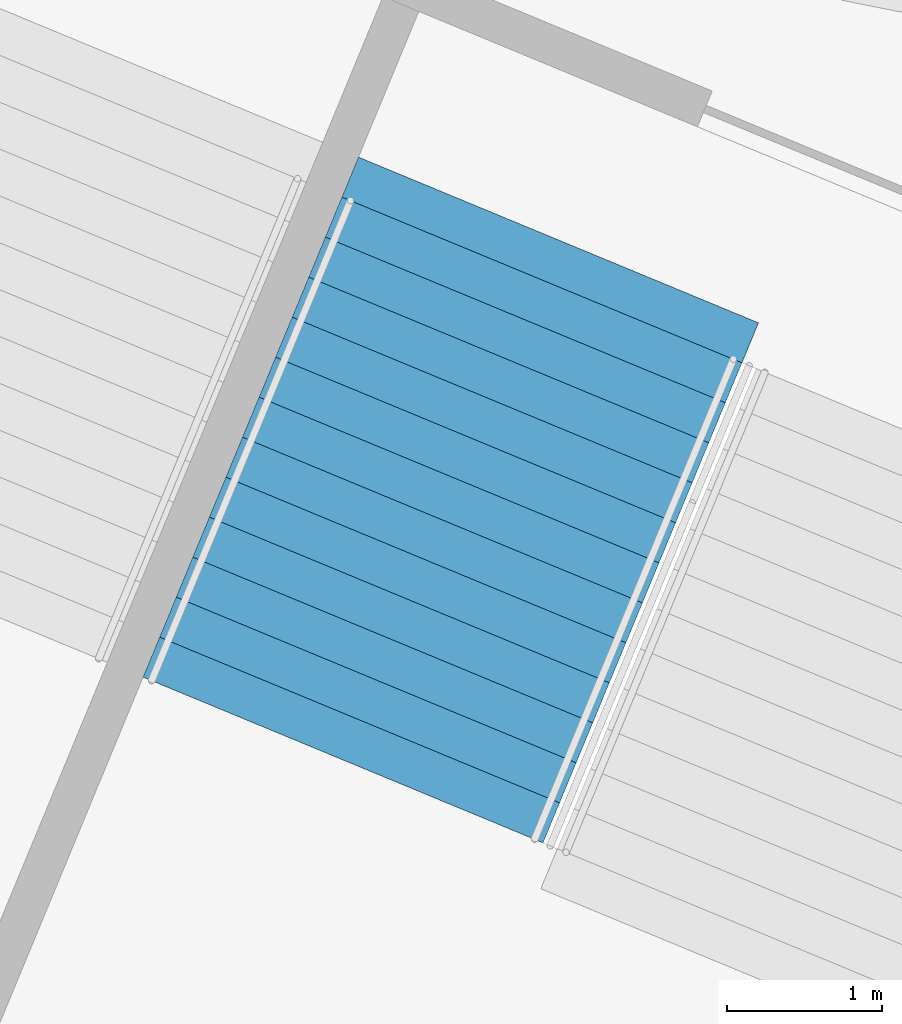
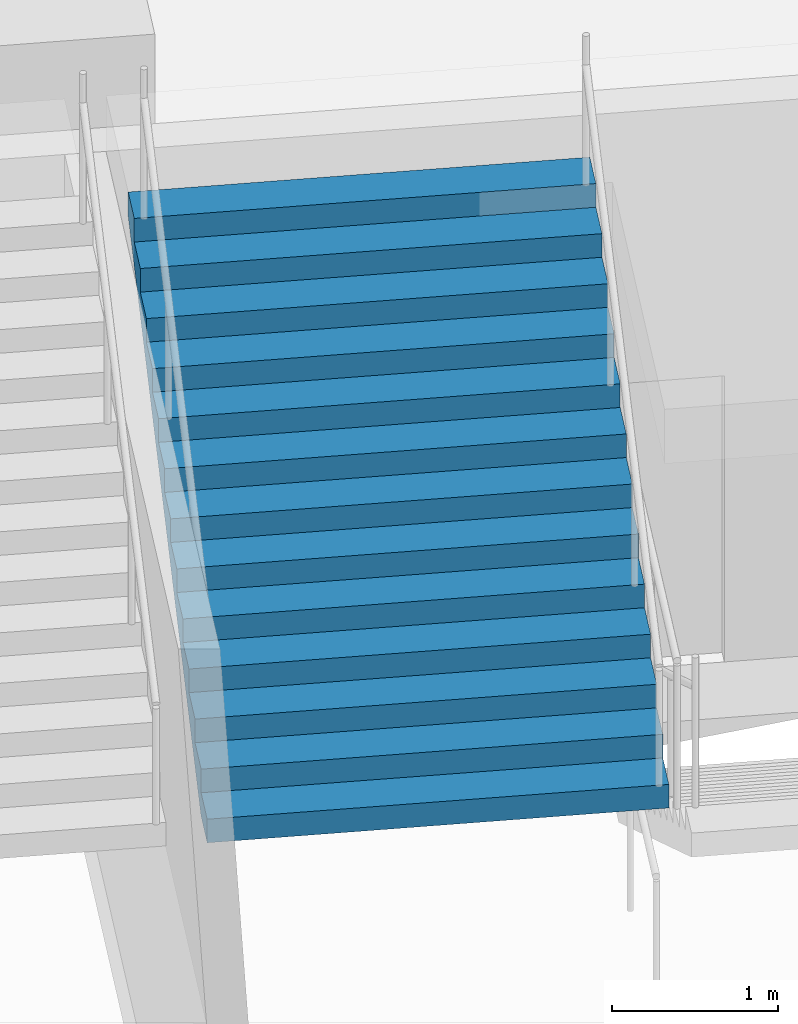
# One storey, part 106 of 199: 1 stair flight, 1 element without a shape of its own.
"""IFC4 building model written with IfcOpenShell, lengths in metres."""

from ifc_helpers import new_model, si_unit, direction, frame, origin, place, context, subcontext, project, spatial, faceted_brep, material, type_object, element, aggregate, save


model = new_model("IFC4")

# Units and contexts
model_context = context("Model", 3, precision=1e-05, world=origin(), true_north=direction((0.0, 1.0)))
body_context = subcontext(model_context, "Body", "Model", "MODEL_VIEW")
ifc_project = project(units=[si_unit("LENGTHUNIT", "METRE"), si_unit("AREAUNIT", "SQUARE_METRE"), si_unit("VOLUMEUNIT", "CUBIC_METRE"), si_unit("PLANEANGLEUNIT", "RADIAN"), si_unit("MASSUNIT", "GRAM", prefix="KILO")], contexts=[model_context])

# Site, building, storey
site_placement = place(None, origin())
site = spatial("IfcSite", under=ifc_project, at=site_placement, CompositionType="ELEMENT")
building_placement = place(site_placement, origin())
building = spatial("IfcBuilding", under=site, at=building_placement, Name="Ogive Plaza Stadium", CompositionType="ELEMENT")
storey_placement = place(building_placement, frame((0.0, 0.0, 9.0)))
storey = spatial("IfcBuildingStorey", under=building, at=storey_placement, Name="L02", CompositionType="ELEMENT", Elevation=9.0)

# Stair, stair flight
ifc_material_1 = material(Name="Concrete C40/50", Category="concrete")
stair_type = type_object("IfcStairType", Name="Exit stair", PredefinedType="STRAIGHT_RUN_STAIR", material=ifc_material_1)
stair_placement = place(storey_placement, origin())
stair = element("IfcStair", 1, at=stair_placement, inside=storey, type_object=stair_type, Name="Exit stair ST18B L02 to L03", PredefinedType="STRAIGHT_RUN_STAIR")
ifc_material_2 = material(Name="Concrete C40/50", Category="concrete")
stair_flight_type = type_object("IfcStairFlightType", Name="Exit stair flight", PredefinedType="STRAIGHT", material=ifc_material_2)
stair_flight_placement = place(storey_placement, frame((-50.08349609375, -95.314208984375, 2.25), z_axis=(0.0, 0.0, 1.0), x_axis=(0.382683432365, 0.923879532511, 0.0)))
stair_flight = element("IfcStairFlight", 2, at=stair_flight_placement, type_object=stair_flight_type, Name="ST18B flight 2", NumberOfRisers=13, NumberOfTreads=12, PredefinedType="STRAIGHT", RiserHeight=0.173076923, TreadLength=0.28, context=body_context, shape_type="Brep", body=[
    faceted_brep([(0.28515625, -1.39990234375, 0.0), (3.639892578125, -1.39990234375, 2.07373046875), (3.639892578125, -1.39990234375, 2.25), (3.360107421875, -1.39990234375, 2.25), (3.360107421875, -1.39990234375, 2.076904296875), (3.080078125, -1.39990234375, 2.076904296875), (3.080078125, -1.39990234375, 1.90380859375), (2.800048828125, -1.39990234375, 1.90380859375), (2.800048828125, -1.39990234375, 1.730712890625), (2.52001953125, -1.39990234375, 1.730712890625), (2.52001953125, -1.39990234375, 1.5576171875), (2.239990234375, -1.39990234375, 1.5576171875), (2.239990234375, -1.39990234375, 1.384521484375), (1.9599609375, -1.39990234375, 1.384521484375), (1.9599609375, -1.39990234375, 1.21142578125), (1.679931640625, -1.39990234375, 1.21142578125), (1.679931640625, -1.39990234375, 1.03857421875), (1.39990234375, -1.39990234375, 1.03857421875), (1.39990234375, -1.39990234375, 0.865478515625), (1.1201171875, -1.39990234375, 0.865478515625), (1.1201171875, -1.39990234375, 0.6923828125), (0.840087890625, -1.39990234375, 0.6923828125), (0.840087890625, -1.39990234375, 0.519287109375), (0.56005859375, -1.39990234375, 0.519287109375), (0.56005859375, -1.39990234375, 0.34619140625), (0.280029296875, -1.39990234375, 0.34619140625), (0.280029296875, -1.39990234375, 0.173095703125), (0.0, -1.39990234375, 0.173095703125), (0.0, -1.39990234375, 0.0), (0.0, 1.39990234375, 0.0), (0.0, 1.39990234375, 0.173095703125), (0.280029296875, 1.39990234375, 0.173095703125), (0.280029296875, 1.39990234375, 0.34619140625), (0.56005859375, 1.39990234375, 0.34619140625), (0.56005859375, 1.39990234375, 0.519287109375), (0.840087890625, 1.39990234375, 0.519287109375), (0.840087890625, 1.39990234375, 0.6923828125), (1.1201171875, 1.39990234375, 0.6923828125), (1.1201171875, 1.39990234375, 0.865478515625), (1.39990234375, 1.39990234375, 0.865478515625), (1.39990234375, 1.39990234375, 1.03857421875), (1.679931640625, 1.39990234375, 1.03857421875), (1.679931640625, 1.39990234375, 1.21142578125), (1.9599609375, 1.39990234375, 1.21142578125), (1.9599609375, 1.39990234375, 1.384521484375), (2.239990234375, 1.39990234375, 1.384521484375), (2.239990234375, 1.39990234375, 1.5576171875), (2.52001953125, 1.39990234375, 1.5576171875), (2.52001953125, 1.39990234375, 1.730712890625), (2.800048828125, 1.39990234375, 1.730712890625), (2.800048828125, 1.39990234375, 1.90380859375), (3.080078125, 1.39990234375, 1.90380859375), (3.080078125, 1.39990234375, 2.076904296875), (3.360107421875, 1.39990234375, 2.076904296875), (3.360107421875, 1.39990234375, 2.25), (3.639892578125, 1.39990234375, 2.25), (3.639892578125, 1.39990234375, 2.07373046875), (0.28515625, 1.39990234375, 0.0), (0.28515625, -1.0888671875, 0.0), (3.639892578125, -1.0888671875, 2.07373046875), (0.28515625, -0.77783203125, 0.0), (3.639892578125, -0.77783203125, 2.07373046875), (0.28515625, -0.466796875, 0.0), (3.639892578125, -0.466796875, 2.07373046875), (0.28515625, -0.155517578125, 0.0), (3.639892578125, -0.155517578125, 2.07373046875), (0.28515625, 0.155517578125, 0.0), (3.639892578125, 0.155517578125, 2.07373046875), (0.28515625, 0.466796875, 0.0), (3.639892578125, 0.466796875, 2.07373046875), (0.28515625, 0.77783203125, 0.0), (3.639892578125, 0.77783203125, 2.07373046875), (0.28515625, 1.0888671875, 0.0), (3.639892578125, 1.0888671875, 2.07373046875), (3.639892578125, -1.0888671875, 2.25), (3.639892578125, -0.77783203125, 2.25), (3.639892578125, -0.466796875, 2.25), (3.639892578125, -0.155517578125, 2.25), (3.639892578125, 0.155517578125, 2.25), (3.639892578125, 0.466796875, 2.25), (3.639892578125, 0.77783203125, 2.25), (3.639892578125, 1.0888671875, 2.25), (3.360107421875, -1.0888671875, 2.25), (3.360107421875, -0.77783203125, 2.25), (3.360107421875, -0.466796875, 2.25), (3.360107421875, -0.155517578125, 2.25), (3.360107421875, 0.155517578125, 2.25), (3.360107421875, 0.466796875, 2.25), (3.360107421875, 0.77783203125, 2.25), (3.360107421875, 1.0888671875, 2.25), (3.360107421875, -1.0888671875, 2.076904296875), (3.360107421875, -0.77783203125, 2.076904296875), (3.360107421875, -0.466796875, 2.076904296875), (3.360107421875, -0.155517578125, 2.076904296875), (3.360107421875, 0.155517578125, 2.076904296875), (3.360107421875, 0.466796875, 2.076904296875), (3.360107421875, 0.77783203125, 2.076904296875), (3.360107421875, 1.0888671875, 2.076904296875), (3.080078125, -1.0888671875, 2.076904296875), (3.080078125, -0.77783203125, 2.076904296875), (3.080078125, -0.466796875, 2.076904296875), (3.080078125, -0.155517578125, 2.076904296875), (3.080078125, 0.155517578125, 2.076904296875), (3.080078125, 0.466796875, 2.076904296875), (3.080078125, 0.77783203125, 2.076904296875), (3.080078125, 1.0888671875, 2.076904296875), (3.080078125, -1.0888671875, 1.90380859375), (3.080078125, -0.77783203125, 1.90380859375), (3.080078125, -0.466796875, 1.90380859375), (3.080078125, -0.155517578125, 1.90380859375), (3.080078125, 0.155517578125, 1.90380859375), (3.080078125, 0.466796875, 1.90380859375), (3.080078125, 0.77783203125, 1.90380859375), (3.080078125, 1.0888671875, 1.90380859375), (2.800048828125, -1.0888671875, 1.90380859375), (2.800048828125, -0.77783203125, 1.90380859375), (2.800048828125, -0.466796875, 1.90380859375), (2.800048828125, -0.155517578125, 1.90380859375), (2.800048828125, 0.155517578125, 1.90380859375), (2.800048828125, 0.466796875, 1.90380859375), (2.800048828125, 0.77783203125, 1.90380859375), (2.800048828125, 1.0888671875, 1.90380859375), (2.800048828125, -1.0888671875, 1.730712890625), (2.800048828125, -0.77783203125, 1.730712890625), (2.800048828125, -0.466796875, 1.730712890625), (2.800048828125, -0.155517578125, 1.730712890625), (2.800048828125, 0.155517578125, 1.730712890625), (2.800048828125, 0.466796875, 1.730712890625), (2.800048828125, 0.77783203125, 1.730712890625), (2.800048828125, 1.0888671875, 1.730712890625), (2.52001953125, -1.0888671875, 1.730712890625), (2.52001953125, -0.77783203125, 1.730712890625), (2.52001953125, -0.466796875, 1.730712890625), (2.52001953125, -0.155517578125, 1.730712890625), (2.52001953125, 0.155517578125, 1.730712890625), (2.52001953125, 0.466796875, 1.730712890625), (2.52001953125, 0.77783203125, 1.730712890625), (2.52001953125, 1.0888671875, 1.730712890625), (2.52001953125, -1.0888671875, 1.5576171875), (2.52001953125, -0.77783203125, 1.5576171875), (2.52001953125, -0.466796875, 1.5576171875), (2.52001953125, -0.155517578125, 1.5576171875), (2.52001953125, 0.155517578125, 1.5576171875), (2.52001953125, 0.466796875, 1.5576171875), (2.52001953125, 0.77783203125, 1.5576171875), (2.52001953125, 1.0888671875, 1.5576171875), (2.239990234375, -1.0888671875, 1.5576171875), (2.239990234375, -0.77783203125, 1.5576171875), (2.239990234375, -0.466796875, 1.5576171875), (2.239990234375, -0.155517578125, 1.5576171875), (2.239990234375, 0.155517578125, 1.5576171875), (2.239990234375, 0.466796875, 1.5576171875), (2.239990234375, 0.77783203125, 1.5576171875), (2.239990234375, 1.0888671875, 1.5576171875), (2.239990234375, -1.0888671875, 1.384521484375), (2.239990234375, -0.77783203125, 1.384521484375), (2.239990234375, -0.466796875, 1.384521484375), (2.239990234375, -0.155517578125, 1.384521484375), (2.239990234375, 0.155517578125, 1.384521484375), (2.239990234375, 0.466796875, 1.384521484375), (2.239990234375, 0.77783203125, 1.384521484375), (2.239990234375, 1.0888671875, 1.384521484375), (1.9599609375, -1.0888671875, 1.384521484375), (1.9599609375, -0.77783203125, 1.384521484375), (1.9599609375, -0.466796875, 1.384521484375), (1.9599609375, -0.155517578125, 1.384521484375), (1.9599609375, 0.155517578125, 1.384521484375), (1.9599609375, 0.466796875, 1.384521484375), (1.9599609375, 0.77783203125, 1.384521484375), (1.9599609375, 1.0888671875, 1.384521484375), (1.9599609375, -1.0888671875, 1.21142578125), (1.9599609375, -0.77783203125, 1.21142578125), (1.9599609375, -0.466796875, 1.21142578125), (1.9599609375, -0.155517578125, 1.21142578125), (1.9599609375, 0.155517578125, 1.21142578125), (1.9599609375, 0.466796875, 1.21142578125), (1.9599609375, 0.77783203125, 1.21142578125), (1.9599609375, 1.0888671875, 1.21142578125), (1.679931640625, -1.0888671875, 1.21142578125), (1.679931640625, -0.77783203125, 1.21142578125), (1.679931640625, -0.466796875, 1.21142578125), (1.679931640625, -0.155517578125, 1.21142578125), (1.679931640625, 0.155517578125, 1.21142578125), (1.679931640625, 0.466796875, 1.21142578125), (1.679931640625, 0.77783203125, 1.21142578125), (1.679931640625, 1.0888671875, 1.21142578125), (1.679931640625, -1.0888671875, 1.03857421875), (1.679931640625, -0.77783203125, 1.03857421875), (1.679931640625, -0.466796875, 1.03857421875), (1.679931640625, -0.155517578125, 1.03857421875), (1.679931640625, 0.155517578125, 1.03857421875), (1.679931640625, 0.466796875, 1.03857421875), (1.679931640625, 0.77783203125, 1.03857421875), (1.679931640625, 1.0888671875, 1.03857421875), (1.39990234375, -1.0888671875, 1.03857421875), (1.39990234375, -0.77783203125, 1.03857421875), (1.39990234375, -0.466796875, 1.03857421875), (1.39990234375, -0.155517578125, 1.03857421875), (1.39990234375, 0.155517578125, 1.03857421875), (1.39990234375, 0.466796875, 1.03857421875), (1.39990234375, 0.77783203125, 1.03857421875), (1.39990234375, 1.0888671875, 1.03857421875), (1.39990234375, -1.0888671875, 0.865478515625), (1.39990234375, -0.77783203125, 0.865478515625), (1.39990234375, -0.466796875, 0.865478515625), (1.39990234375, -0.155517578125, 0.865478515625), (1.39990234375, 0.155517578125, 0.865478515625), (1.39990234375, 0.466796875, 0.865478515625), (1.39990234375, 0.77783203125, 0.865478515625), (1.39990234375, 1.0888671875, 0.865478515625), (1.1201171875, -1.0888671875, 0.865478515625), (1.1201171875, -0.77783203125, 0.865478515625), (1.1201171875, -0.466796875, 0.865478515625), (1.1201171875, -0.155517578125, 0.865478515625), (1.1201171875, 0.155517578125, 0.865478515625), (1.1201171875, 0.466796875, 0.865478515625), (1.1201171875, 0.77783203125, 0.865478515625), (1.1201171875, 1.0888671875, 0.865478515625), (1.1201171875, -1.0888671875, 0.6923828125), (1.1201171875, -0.77783203125, 0.6923828125), (1.1201171875, -0.466796875, 0.6923828125), (1.1201171875, -0.155517578125, 0.6923828125), (1.1201171875, 0.155517578125, 0.6923828125), (1.1201171875, 0.466796875, 0.6923828125), (1.1201171875, 0.77783203125, 0.6923828125), (1.1201171875, 1.0888671875, 0.6923828125), (0.840087890625, -1.0888671875, 0.6923828125), (0.840087890625, -0.77783203125, 0.6923828125), (0.840087890625, -0.466796875, 0.6923828125), (0.840087890625, -0.155517578125, 0.6923828125), (0.840087890625, 0.155517578125, 0.6923828125), (0.840087890625, 0.466796875, 0.6923828125), (0.840087890625, 0.77783203125, 0.6923828125), (0.840087890625, 1.0888671875, 0.6923828125), (0.840087890625, -1.0888671875, 0.519287109375), (0.840087890625, -0.77783203125, 0.519287109375), (0.840087890625, -0.466796875, 0.519287109375), (0.840087890625, -0.155517578125, 0.519287109375), (0.840087890625, 0.155517578125, 0.519287109375), (0.840087890625, 0.466796875, 0.519287109375), (0.840087890625, 0.77783203125, 0.519287109375), (0.840087890625, 1.0888671875, 0.519287109375), (0.56005859375, -1.0888671875, 0.519287109375), (0.56005859375, -0.77783203125, 0.519287109375), (0.56005859375, -0.466796875, 0.519287109375), (0.56005859375, -0.155517578125, 0.519287109375), (0.56005859375, 0.155517578125, 0.519287109375), (0.56005859375, 0.466796875, 0.519287109375), (0.56005859375, 0.77783203125, 0.519287109375), (0.56005859375, 1.0888671875, 0.519287109375), (0.56005859375, -1.0888671875, 0.34619140625), (0.56005859375, -0.77783203125, 0.34619140625), (0.56005859375, -0.466796875, 0.34619140625), (0.56005859375, -0.155517578125, 0.34619140625), (0.56005859375, 0.155517578125, 0.34619140625), (0.56005859375, 0.466796875, 0.34619140625), (0.56005859375, 0.77783203125, 0.34619140625), (0.56005859375, 1.0888671875, 0.34619140625), (0.280029296875, -1.0888671875, 0.34619140625), (0.280029296875, -0.77783203125, 0.34619140625), (0.280029296875, -0.466796875, 0.34619140625), (0.280029296875, -0.155517578125, 0.34619140625), (0.280029296875, 0.155517578125, 0.34619140625), (0.280029296875, 0.466796875, 0.34619140625), (0.280029296875, 0.77783203125, 0.34619140625), (0.280029296875, 1.0888671875, 0.34619140625), (0.280029296875, -1.0888671875, 0.173095703125), (0.280029296875, -0.77783203125, 0.173095703125), (0.280029296875, -0.466796875, 0.173095703125), (0.280029296875, -0.155517578125, 0.173095703125), (0.280029296875, 0.155517578125, 0.173095703125), (0.280029296875, 0.466796875, 0.173095703125), (0.280029296875, 0.77783203125, 0.173095703125), (0.280029296875, 1.0888671875, 0.173095703125), (0.0, -1.0888671875, 0.173095703125), (0.0, -0.77783203125, 0.173095703125), (0.0, -0.466796875, 0.173095703125), (0.0, -0.155517578125, 0.173095703125), (0.0, 0.155517578125, 0.173095703125), (0.0, 0.466796875, 0.173095703125), (0.0, 0.77783203125, 0.173095703125), (0.0, 1.0888671875, 0.173095703125), (0.0, -1.0888671875, 0.0), (0.0, -0.77783203125, 0.0), (0.0, -0.466796875, 0.0), (0.0, -0.155517578125, 0.0), (0.0, 0.155517578125, 0.0), (0.0, 0.466796875, 0.0), (0.0, 0.77783203125, 0.0), (0.0, 1.0888671875, 0.0)], [[[0, 1, 2, 3, 4, 5, 6, 7, 8, 9, 10, 11, 12, 13, 14, 15, 16, 17, 18, 19, 20, 21, 22, 23, 24, 25, 26, 27, 28]], [[29, 30, 31, 32, 33, 34, 35, 36, 37, 38, 39, 40, 41, 42, 43, 44, 45, 46, 47, 48, 49, 50, 51, 52, 53, 54, 55, 56, 57]], [[0, 58, 59, 1]], [[58, 60, 61, 59]], [[60, 62, 63, 61]], [[62, 64, 65, 63]], [[64, 66, 67, 65]], [[66, 68, 69, 67]], [[68, 70, 71, 69]], [[70, 72, 73, 71]], [[72, 57, 56, 73]], [[1, 59, 74, 2]], [[59, 61, 75, 74]], [[61, 63, 76, 75]], [[63, 65, 77, 76]], [[65, 67, 78, 77]], [[67, 69, 79, 78]], [[69, 71, 80, 79]], [[71, 73, 81, 80]], [[73, 56, 55, 81]], [[2, 74, 82, 3]], [[74, 75, 83, 82]], [[75, 76, 84, 83]], [[76, 77, 85, 84]], [[77, 78, 86, 85]], [[78, 79, 87, 86]], [[79, 80, 88, 87]], [[80, 81, 89, 88]], [[81, 55, 54, 89]], [[3, 82, 90, 4]], [[82, 83, 91, 90]], [[83, 84, 92, 91]], [[84, 85, 93, 92]], [[85, 86, 94, 93]], [[86, 87, 95, 94]], [[87, 88, 96, 95]], [[88, 89, 97, 96]], [[89, 54, 53, 97]], [[4, 90, 98, 5]], [[90, 91, 99, 98]], [[91, 92, 100, 99]], [[92, 93, 101, 100]], [[93, 94, 102, 101]], [[94, 95, 103, 102]], [[95, 96, 104, 103]], [[96, 97, 105, 104]], [[97, 53, 52, 105]], [[5, 98, 106, 6]], [[98, 99, 107, 106]], [[99, 100, 108, 107]], [[100, 101, 109, 108]], [[101, 102, 110, 109]], [[102, 103, 111, 110]], [[103, 104, 112, 111]], [[104, 105, 113, 112]], [[105, 52, 51, 113]], [[6, 106, 114, 7]], [[106, 107, 115, 114]], [[107, 108, 116, 115]], [[108, 109, 117, 116]], [[109, 110, 118, 117]], [[110, 111, 119, 118]], [[111, 112, 120, 119]], [[112, 113, 121, 120]], [[113, 51, 50, 121]], [[7, 114, 122, 8]], [[114, 115, 123, 122]], [[115, 116, 124, 123]], [[116, 117, 125, 124]], [[117, 118, 126, 125]], [[118, 119, 127, 126]], [[119, 120, 128, 127]], [[120, 121, 129, 128]], [[121, 50, 49, 129]], [[8, 122, 130, 9]], [[122, 123, 131, 130]], [[123, 124, 132, 131]], [[124, 125, 133, 132]], [[125, 126, 134, 133]], [[126, 127, 135, 134]], [[127, 128, 136, 135]], [[128, 129, 137, 136]], [[129, 49, 48, 137]], [[9, 130, 138, 10]], [[130, 131, 139, 138]], [[131, 132, 140, 139]], [[132, 133, 141, 140]], [[133, 134, 142, 141]], [[134, 135, 143, 142]], [[135, 136, 144, 143]], [[136, 137, 145, 144]], [[137, 48, 47, 145]], [[10, 138, 146, 11]], [[138, 139, 147, 146]], [[139, 140, 148, 147]], [[140, 141, 149, 148]], [[141, 142, 150, 149]], [[142, 143, 151, 150]], [[143, 144, 152, 151]], [[144, 145, 153, 152]], [[145, 47, 46, 153]], [[11, 146, 154, 12]], [[146, 147, 155, 154]], [[147, 148, 156, 155]], [[148, 149, 157, 156]], [[149, 150, 158, 157]], [[150, 151, 159, 158]], [[151, 152, 160, 159]], [[152, 153, 161, 160]], [[153, 46, 45, 161]], [[12, 154, 162, 13]], [[154, 155, 163, 162]], [[155, 156, 164, 163]], [[156, 157, 165, 164]], [[157, 158, 166, 165]], [[158, 159, 167, 166]], [[159, 160, 168, 167]], [[160, 161, 169, 168]], [[161, 45, 44, 169]], [[13, 162, 170, 14]], [[162, 163, 171, 170]], [[163, 164, 172, 171]], [[164, 165, 173, 172]], [[165, 166, 174, 173]], [[166, 167, 175, 174]], [[167, 168, 176, 175]], [[168, 169, 177, 176]], [[169, 44, 43, 177]], [[14, 170, 178, 15]], [[170, 171, 179, 178]], [[171, 172, 180, 179]], [[172, 173, 181, 180]], [[173, 174, 182, 181]], [[174, 175, 183, 182]], [[175, 176, 184, 183]], [[176, 177, 185, 184]], [[177, 43, 42, 185]], [[15, 178, 186, 16]], [[178, 179, 187, 186]], [[179, 180, 188, 187]], [[180, 181, 189, 188]], [[181, 182, 190, 189]], [[182, 183, 191, 190]], [[183, 184, 192, 191]], [[184, 185, 193, 192]], [[185, 42, 41, 193]], [[16, 186, 194, 17]], [[186, 187, 195, 194]], [[187, 188, 196, 195]], [[188, 189, 197, 196]], [[189, 190, 198, 197]], [[190, 191, 199, 198]], [[191, 192, 200, 199]], [[192, 193, 201, 200]], [[193, 41, 40, 201]], [[17, 194, 202, 18]], [[194, 195, 203, 202]], [[195, 196, 204, 203]], [[196, 197, 205, 204]], [[197, 198, 206, 205]], [[198, 199, 207, 206]], [[199, 200, 208, 207]], [[200, 201, 209, 208]], [[201, 40, 39, 209]], [[18, 202, 210, 19]], [[202, 203, 211, 210]], [[203, 204, 212, 211]], [[204, 205, 213, 212]], [[205, 206, 214, 213]], [[206, 207, 215, 214]], [[207, 208, 216, 215]], [[208, 209, 217, 216]], [[209, 39, 38, 217]], [[19, 210, 218, 20]], [[210, 211, 219, 218]], [[211, 212, 220, 219]], [[212, 213, 221, 220]], [[213, 214, 222, 221]], [[214, 215, 223, 222]], [[215, 216, 224, 223]], [[216, 217, 225, 224]], [[217, 38, 37, 225]], [[20, 218, 226, 21]], [[218, 219, 227, 226]], [[219, 220, 228, 227]], [[220, 221, 229, 228]], [[221, 222, 230, 229]], [[222, 223, 231, 230]], [[223, 224, 232, 231]], [[224, 225, 233, 232]], [[225, 37, 36, 233]], [[21, 226, 234, 22]], [[226, 227, 235, 234]], [[227, 228, 236, 235]], [[228, 229, 237, 236]], [[229, 230, 238, 237]], [[230, 231, 239, 238]], [[231, 232, 240, 239]], [[232, 233, 241, 240]], [[233, 36, 35, 241]], [[22, 234, 242, 23]], [[234, 235, 243, 242]], [[235, 236, 244, 243]], [[236, 237, 245, 244]], [[237, 238, 246, 245]], [[238, 239, 247, 246]], [[239, 240, 248, 247]], [[240, 241, 249, 248]], [[241, 35, 34, 249]], [[23, 242, 250, 24]], [[242, 243, 251, 250]], [[243, 244, 252, 251]], [[244, 245, 253, 252]], [[245, 246, 254, 253]], [[246, 247, 255, 254]], [[247, 248, 256, 255]], [[248, 249, 257, 256]], [[249, 34, 33, 257]], [[24, 250, 258, 25]], [[250, 251, 259, 258]], [[251, 252, 260, 259]], [[252, 253, 261, 260]], [[253, 254, 262, 261]], [[254, 255, 263, 262]], [[255, 256, 264, 263]], [[256, 257, 265, 264]], [[257, 33, 32, 265]], [[25, 258, 266, 26]], [[258, 259, 267, 266]], [[259, 260, 268, 267]], [[260, 261, 269, 268]], [[261, 262, 270, 269]], [[262, 263, 271, 270]], [[263, 264, 272, 271]], [[264, 265, 273, 272]], [[265, 32, 31, 273]], [[26, 266, 274, 27]], [[266, 267, 275, 274]], [[267, 268, 276, 275]], [[268, 269, 277, 276]], [[269, 270, 278, 277]], [[270, 271, 279, 278]], [[271, 272, 280, 279]], [[272, 273, 281, 280]], [[273, 31, 30, 281]], [[27, 274, 282, 28]], [[274, 275, 283, 282]], [[275, 276, 284, 283]], [[276, 277, 285, 284]], [[277, 278, 286, 285]], [[278, 279, 287, 286]], [[279, 280, 288, 287]], [[280, 281, 289, 288]], [[281, 30, 29, 289]], [[28, 282, 58, 0]], [[282, 283, 60, 58]], [[283, 284, 62, 60]], [[284, 285, 64, 62]], [[285, 286, 66, 64]], [[286, 287, 68, 66]], [[287, 288, 70, 68]], [[288, 289, 72, 70]], [[289, 29, 57, 72]]]),
])
aggregate(stair, [stair_flight])

save(model, "model.ifc")
